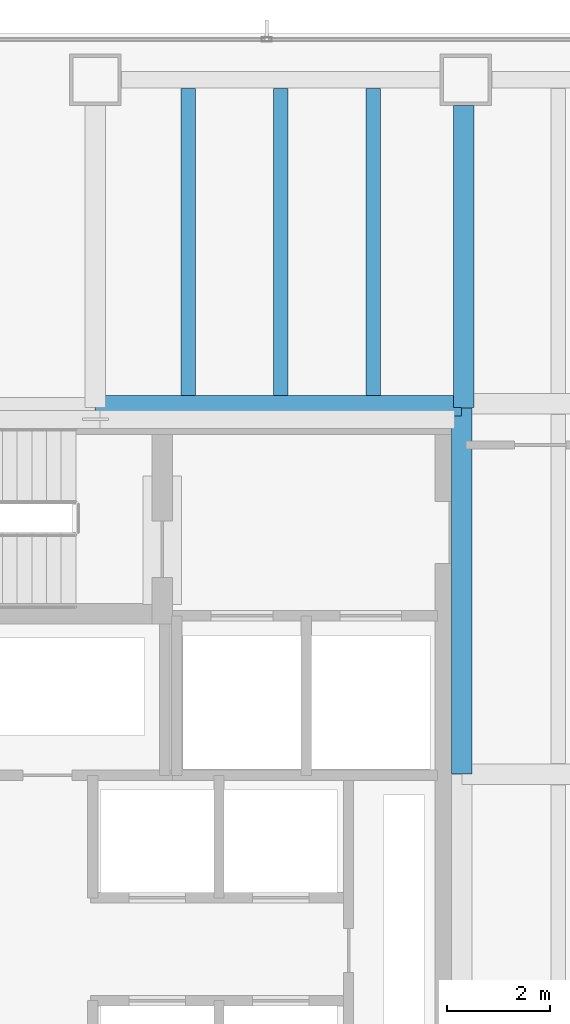
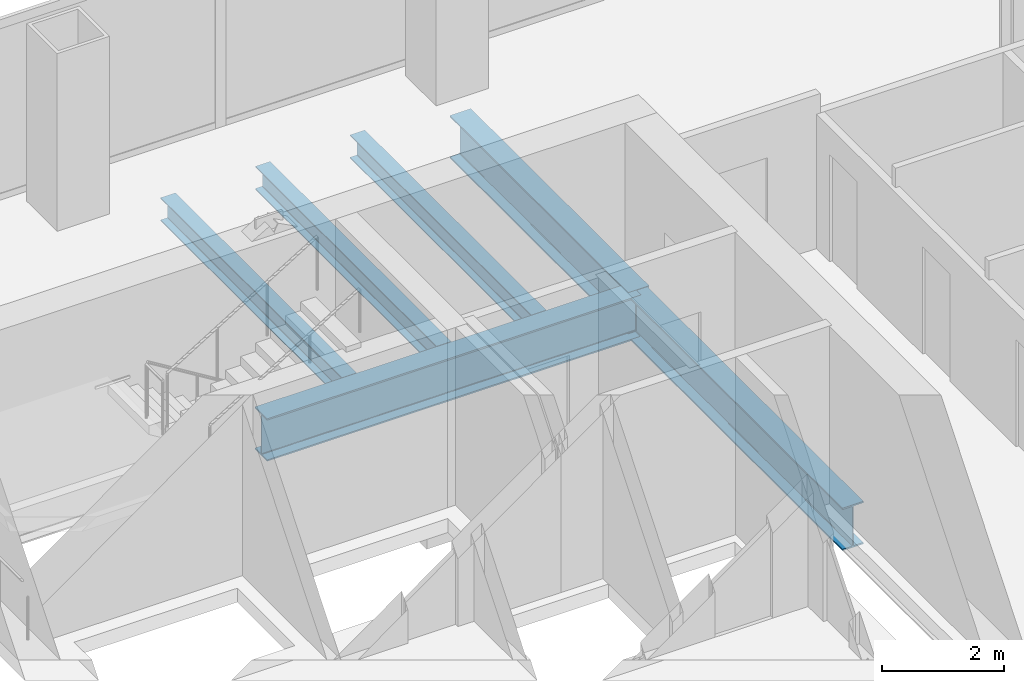
# One storey, part 15 of 25: 6 beams.
"""IFC4 building model written with IfcOpenShell, lengths in metres."""

from ifc_helpers import new_model, si_unit, direction, frame, origin, origin_2d, place, context, subcontext, project, spatial, i_section, extrude, material, material_profile, profile_set, type_object, element, save


model = new_model("IFC4")

# Units and contexts
model_context = context("Model", 3, precision=1e-05, world=origin(), true_north=direction((0.0, 1.0)))
body_context = subcontext(model_context, "Body", "Model", "MODEL_VIEW")
ifc_project = project(units=[si_unit("LENGTHUNIT", "METRE"), si_unit("AREAUNIT", "SQUARE_METRE"), si_unit("VOLUMEUNIT", "CUBIC_METRE"), si_unit("PLANEANGLEUNIT", "RADIAN"), si_unit("MASSUNIT", "GRAM", prefix="KILO")], contexts=[model_context])

# Site, building, storey
site_placement = place(None, origin())
site = spatial("IfcSite", under=ifc_project, at=site_placement, CompositionType="ELEMENT")
building_placement = place(site_placement, origin())
building = spatial("IfcBuilding", under=site, at=building_placement, Name="Cobrela Telecom Tower", CompositionType="ELEMENT")
storey_placement = place(building_placement, frame((0.0, 0.0, 58.10009765625)))
storey = spatial("IfcBuildingStorey", under=building, at=storey_placement, Name="L14", CompositionType="ELEMENT", Elevation=58.10009765625)

# Beams
ifc_material = material(Name="Steel ASTM A992 Grade 50", Category="steel")
ifc_material_profile_1 = material_profile(ifc_material, i_section(OverallWidth=0.39892578125, OverallDepth=0.85595703125, WebThickness=0.018310546875, FlangeThickness=0.029296875, FilletRadius=0.02001953125, at=origin_2d()), Name="W33X201")
ifc_profile_set_1 = profile_set([ifc_material_profile_1], Name="Steel ASTM A992 Grade 50")
beam_type_1 = type_object("IfcBeamType", Name="BM-GIRD-03", PredefinedType="USERDEFINED", material=ifc_profile_set_1)
beam_1_placement = place(storey_placement, frame((7.205078125, 35.9599609375, -0.7080078125), z_axis=(1.0, 0.0, 0.0), x_axis=(0.0, 1.0, 0.0)))
element("IfcBeam", 1, at=beam_1_placement, inside=storey, type_object=beam_type_1, Name="L14 Primary Girder X26", ObjectType="GIRDER", PredefinedType="USERDEFINED", context=body_context, shape_type="SweptSolid", body=[
    extrude(i_section(OverallWidth=0.39892578125, OverallDepth=0.85595703125, WebThickness=0.018310546875, FlangeThickness=0.029296875, FilletRadius=0.02001953125, at=origin_2d()), origin(), (0.0, 0.0, 1.0), 7.10986328125),
])
beam_2_placement = place(storey_placement, frame((14.320068359375, 28.804931640625, -0.7080078125), z_axis=(0.0, 1.0, 0.0), x_axis=(-1.0, 0.0, 0.0)))
element("IfcBeam", 2, at=beam_2_placement, inside=storey, type_object=beam_type_1, Name="L14 Primary Girder Y38", ObjectType="GIRDER", PredefinedType="USERDEFINED", context=body_context, shape_type="SweptSolid", body=[
    extrude(i_section(OverallWidth=0.39892578125, OverallDepth=0.85595703125, WebThickness=0.018310546875, FlangeThickness=0.029296875, FilletRadius=0.02001953125, at=origin_2d()), origin(), (0.0, 0.0, 1.0), 7.110107421875),
])
beam_3_placement = place(storey_placement, frame((14.360107421875, 35.925048828125, -0.7080078125), z_axis=(0.0, 1.0, 0.0), x_axis=(-1.0, 0.0, 0.0)))
element("IfcBeam", 3, at=beam_3_placement, inside=storey, type_object=beam_type_1, Name="L14 Primary Girder Y39", ObjectType="GIRDER", PredefinedType="USERDEFINED", context=body_context, shape_type="SweptSolid", body=[
    extrude(i_section(OverallWidth=0.39892578125, OverallDepth=0.85595703125, WebThickness=0.018310546875, FlangeThickness=0.029296875, FilletRadius=0.02001953125, at=origin_2d()), origin(), (0.0, 0.0, 1.0), 5.869873046875),
])
ifc_material_profile_2 = material_profile(ifc_material, i_section(OverallWidth=0.281982421875, OverallDepth=0.467041015625, WebThickness=0.01220703125, FlangeThickness=0.01953125, FilletRadius=0.012939453125, at=origin_2d()), Name="W18X86")
ifc_profile_set_2 = profile_set([ifc_material_profile_2], Name="Steel ASTM A992 Grade 50")
beam_type_2 = type_object("IfcBeamType", Name="BM-JOIST-02", PredefinedType="JOIST", material=ifc_profile_set_2)
for number, where, z_axis, x_axis, name in (
    (4, (9.0, 36.16455078125, -0.513671875), (0.0, 1.0, 0.0), (-1.0, 0.0, 0.0), "L14 Secondary Composite Floor Beam J02"),
    (5, (10.800048828125, 36.16455078125, -0.513671875), (0.0, 1.0, 0.0), (-1.0, 0.0, 0.0), "L14 Secondary Composite Floor Beam J04"),
    (6, (12.60009765625, 36.16455078125, -0.513671875), (0.0, 1.0, 0.0), (-1.0, 0.0, 0.0), "L14 Secondary Composite Floor Beam J06"),
):
    element("IfcBeam", number, at=place(storey_placement, frame(where, z_axis=z_axis, x_axis=x_axis)), inside=storey, type_object=beam_type_2, Name=name, PredefinedType="JOIST", context=body_context, shape_type="SweptSolid", body=[
        extrude(i_section(OverallWidth=0.281982421875, OverallDepth=0.467041015625, WebThickness=0.01220703125, FlangeThickness=0.01953125, FilletRadius=0.012939453125, at=origin_2d()), origin(), (0.0, 0.0, 1.0), 5.968017578125),
    ])

save(model, "model.ifc")
